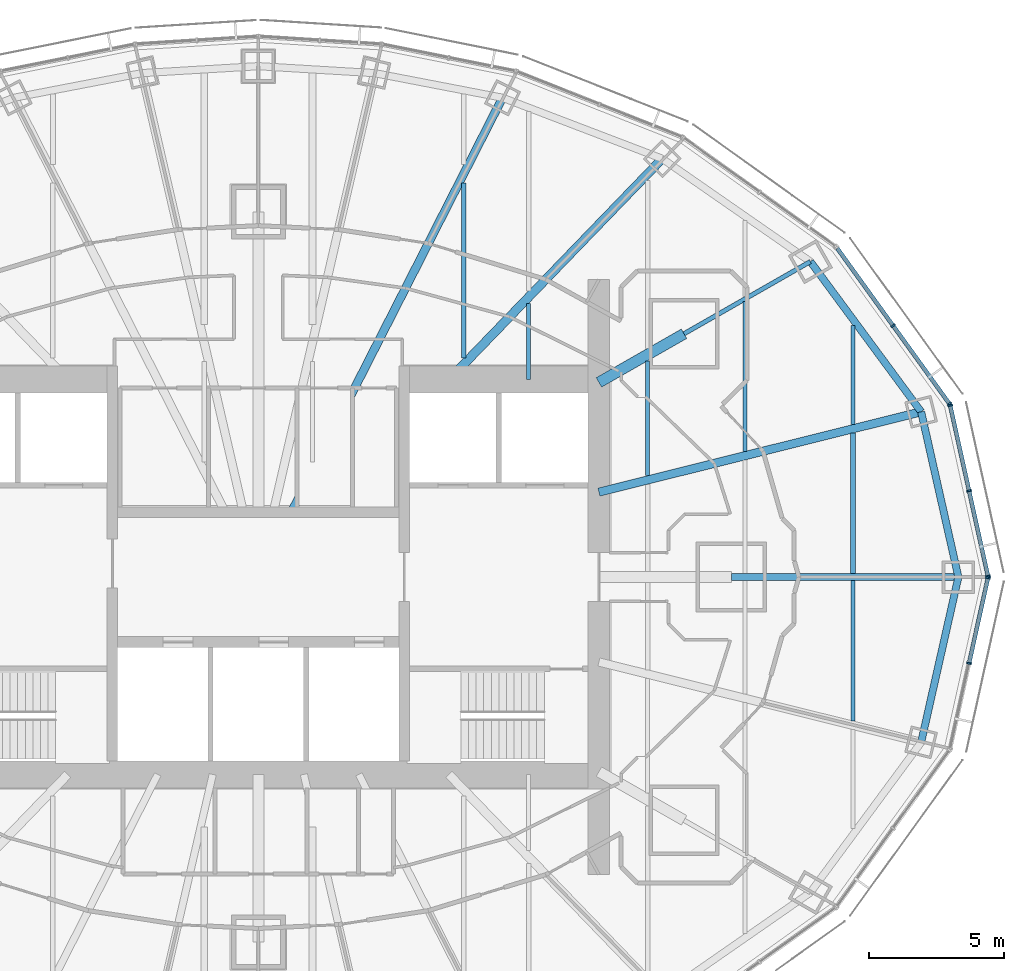
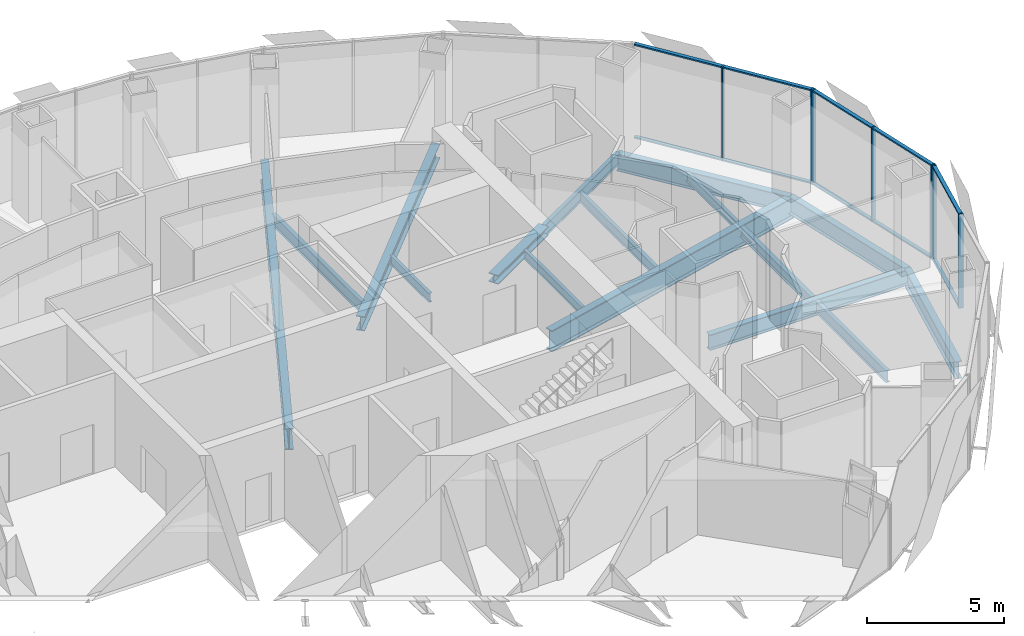
# One storey, part 7 of 19: 17 members, 16 beams, 3 elements without a shape of their own.
"""IFC4 building model written with IfcOpenShell, lengths in metres."""

import ifcopenshell
import ifcopenshell.guid

model = None  # the IFC model being written
_history = None  # IfcOwnerHistory: only IFC2X3 demands one
_inside = {}  # id of a spatial element -> (the spatial element, [elements in it])
_under = {}  # id of a project, library or spatial element -> (it, [spatial elements below it])
_declared = {}  # id of a project -> (the project, [libraries it declares])
_typed = {}  # id of a type object -> (the type object, [elements of that type])
_made_of = {}  # id of a material, layer set ... -> (it, [elements and type objects made of it])


def new_model(schema):
    """Start an empty IFC model of exactly this schema.

    Asked for "IFC4X3", IfcOpenShell would pick the latest addendum, in which some entities
    have other attributes; the version numbers below select the first issue.
    IFC2X3 requires an IfcOwnerHistory on every rooted entity: one is made here for all.
    """
    global model, _history
    if schema == "IFC4X3":
        model = ifcopenshell.file(schema_version=(4, 3, 0, 0))
    else:
        model = ifcopenshell.file(schema=schema)
    _inside.clear()
    _under.clear()
    _declared.clear()
    _typed.clear()
    _made_of.clear()
    _history = None
    if model.schema == "IFC2X3":
        org = make("IfcOrganization", Name="unknown")
        user = make(
            "IfcPersonAndOrganization",
            ThePerson=make("IfcPerson", FamilyName="unknown"),
            TheOrganization=org,
        )
        app = make(
            "IfcApplication",
            ApplicationDeveloper=org,
            Version="unknown",
            ApplicationFullName="unknown",
            ApplicationIdentifier="unknown",
        )
        _history = make(
            "IfcOwnerHistory",
            OwningUser=user,
            OwningApplication=app,
            ChangeAction="ADDED",
            CreationDate=0,
        )
    return model


def make(cls, **values):
    """One entity of the class cls with the attributes given. An attribute that is None is left unset."""
    return model.create_entity(
        cls, **{name: value for name, value in values.items() if value is not None}
    )


def rooted(cls, **values):
    """An entity with a GlobalId (a new one), such as an element, a storey or a relation."""
    return make(cls, GlobalId=ifcopenshell.guid.new(), OwnerHistory=_history, **values)


def si_unit(unit_type, name, prefix=None):
    """IfcSIUnit, for example si_unit("LENGTHUNIT", "METRE", prefix="MILLI")."""
    return make("IfcSIUnit", UnitType=unit_type, Prefix=prefix, Name=name)


def assignment(units):
    """IfcUnitAssignment: the units of a project."""
    return None if units is None else make("IfcUnitAssignment", Units=units)


def point(xyz):
    """IfcCartesianPoint."""
    return None if xyz is None else make("IfcCartesianPoint", Coordinates=xyz)


def direction(xyz):
    """IfcDirection."""
    return None if xyz is None else make("IfcDirection", DirectionRatios=xyz)


def frame(location, z_axis=None, x_axis=None):
    """IfcAxis2Placement3D, a coordinate frame: its origin and axes. An axis left out is left unset."""
    return make(
        "IfcAxis2Placement3D",
        Location=point(location),
        Axis=direction(z_axis),
        RefDirection=direction(x_axis),
    )


def frame_2d(location, x_axis=None):
    """IfcAxis2Placement2D, a coordinate frame in the plane: its origin and x axis."""
    return make(
        "IfcAxis2Placement2D", Location=point(location), RefDirection=direction(x_axis)
    )


def origin():
    """The frame at (0, 0, 0) with its axes left unset."""
    return frame((0.0, 0.0, 0.0))


def origin_2d():
    """The frame at (0, 0) in the plane with its x axis left unset."""
    return frame_2d((0.0, 0.0))


def place(relative_to, where):
    """IfcLocalPlacement: puts the frame where relative to a parent placement (None: the world)."""
    return make(
        "IfcLocalPlacement", PlacementRelTo=relative_to, RelativePlacement=where
    )


def context(
    kind, dimensions, precision=None, world=None, true_north=None, identifier=None
):
    """IfcGeometricRepresentationContext, for example the 3D "Model" context."""
    return make(
        "IfcGeometricRepresentationContext",
        ContextIdentifier=identifier,
        ContextType=kind,
        CoordinateSpaceDimension=dimensions,
        Precision=precision,
        WorldCoordinateSystem=world,
        TrueNorth=true_north,
    )


def subcontext(parent, identifier, kind, view, scale=None):
    """IfcGeometricRepresentationSubContext, for example "Body" below "Model"."""
    return make(
        "IfcGeometricRepresentationSubContext",
        ContextIdentifier=identifier,
        ContextType=kind,
        ParentContext=parent,
        TargetScale=scale,
        TargetView=view,
    )


def project(units=None, contexts=None):
    """IfcProject with its units and contexts."""
    return rooted(
        "IfcProject",
        Name="project",
        RepresentationContexts=contexts,
        UnitsInContext=assignment(units),
    )


def spatial(cls, under=None, at=None, **own):
    """A site, building, storey or space (cls), placed at a placement, below another one or the project."""
    s = rooted(cls, ObjectPlacement=at, **own)
    if under is not None:
        _under.setdefault(under.id(), (under, []))[1].append(s)
    return s


def profile(cls, at=None, kind="AREA", **sizes):
    """A parametric profile (cls). Its sizes go by their IFC names, for example OverallWidth=200.0."""
    return make(cls, ProfileType=kind, Position=at, **sizes)


def rectangle(**sizes):
    """IfcRectangleProfileDef."""
    return profile("IfcRectangleProfileDef", **sizes)


def i_section(**sizes):
    """IfcIShapeProfileDef."""
    return profile("IfcIShapeProfileDef", **sizes)


def extrude(swept, where, along, depth):
    """IfcExtrudedAreaSolid: the profile swept, set in the frame where, extruded along a direction by depth."""
    return make(
        "IfcExtrudedAreaSolid",
        SweptArea=swept,
        Position=where,
        ExtrudedDirection=direction(along),
        Depth=depth,
    )


def shape(context_of_items, identifier, shape_type, items):
    """IfcShapeRepresentation: the items that make up one representation, for example the "Body"."""
    return make(
        "IfcShapeRepresentation",
        ContextOfItems=context_of_items,
        RepresentationIdentifier=identifier,
        RepresentationType=shape_type,
        Items=items,
    )


def material(Name=None, Category=None):
    """IfcMaterial."""
    return make("IfcMaterial", Name=Name, Category=Category)


def material_profile(
    of_material, cross_section, Name=None, Category=None, Priority=None
):
    """IfcMaterialProfile: a cross section and its material."""
    return make(
        "IfcMaterialProfile",
        Name=Name,
        Material=of_material,
        Profile=cross_section,
        Priority=Priority,
        Category=Category,
    )


def profile_set(profiles, Name=None, composite=None):
    """IfcMaterialProfileSet."""
    return make(
        "IfcMaterialProfileSet",
        Name=Name,
        MaterialProfiles=profiles,
        CompositeProfile=composite,
    )


def made_of(thing, what):
    """Note that an element or type object is made of a material, layer set ...; save() writes the relation."""
    if what is not None:
        _made_of.setdefault(what.id(), (what, []))[1].append(thing)
    return thing


def type_object(cls, material=None, **own):
    """A type object (cls), such as IfcWallType, which elements share."""
    return made_of(rooted(cls, **own), material)


def element(
    cls,
    number,
    at=None,
    inside=None,
    cuts=None,
    type_object=None,
    material=None,
    context=None,
    identifier="Body",
    shape_type=None,
    held_by="IfcProductDefinitionShape",
    body=None,
    shapes=None,
    **own,
):
    """One element of the class cls, such as IfcWall. Its Tag is "e" and its number.

    at: its placement. inside: the storey or other place that contains it. cuts: it is an
    opening in that element (IfcRelVoidsElement). A single representation is given by context,
    identifier, shape_type and body (its items); several are given by shapes. held_by: the class
    of the entity that holds the representations. save() writes the other relations.
    """
    e = rooted(cls, Tag="e%d" % number, ObjectPlacement=at, **own)
    if body is not None:
        shapes = [shape(context, identifier, shape_type, body)]
    if shapes is not None:
        e.Representation = make(held_by, Representations=shapes)
    if inside is not None:
        _inside.setdefault(inside.id(), (inside, []))[1].append(e)
    if cuts is not None:
        rooted(
            "IfcRelVoidsElement", RelatingBuildingElement=cuts, RelatedOpeningElement=e
        )
    if type_object is not None:
        _typed.setdefault(type_object.id(), (type_object, []))[1].append(e)
    return made_of(e, material)


def aggregate(whole, parts):
    """IfcRelAggregates: a whole, such as a stair, and the parts it consists of."""
    return rooted("IfcRelAggregates", RelatingObject=whole, RelatedObjects=parts)


def save(model, path):
    """Write the relations noted so far, then the file.

    IfcRelAggregates (storeys below a building ...), IfcRelContainedInSpatialStructure (elements
    in a storey), IfcRelDefinesByType, IfcRelAssociatesMaterial and IfcRelDeclares: one each for
    every whole, place, type object, material and project.
    """
    for whole, parts in _under.values():
        aggregate(whole, parts)
    for where, things in _inside.values():
        rooted(
            "IfcRelContainedInSpatialStructure",
            RelatedElements=things,
            RelatingStructure=where,
        )
    for kind, things in _typed.values():
        rooted("IfcRelDefinesByType", RelatedObjects=things, RelatingType=kind)
    for what, things in _made_of.values():
        rooted("IfcRelAssociatesMaterial", RelatedObjects=things, RelatingMaterial=what)
    for by, libraries in _declared.values():
        rooted("IfcRelDeclares", RelatingContext=by, RelatedDefinitions=libraries)
    model.write(path)


model = new_model("IFC4")

# Units and contexts
model_context = context("Model", 3, precision=1e-05, world=origin(), true_north=direction((0.0, 1.0)))
body_context = subcontext(model_context, "Body", "Model", "MODEL_VIEW")
ifc_project = project(units=[si_unit("LENGTHUNIT", "METRE"), si_unit("AREAUNIT", "SQUARE_METRE"), si_unit("VOLUMEUNIT", "CUBIC_METRE"), si_unit("PLANEANGLEUNIT", "RADIAN"), si_unit("MASSUNIT", "GRAM", prefix="KILO")], contexts=[model_context])

# Site, building, storey
site_placement = place(None, origin())
site = spatial("IfcSite", under=ifc_project, at=site_placement, CompositionType="ELEMENT")
building_placement = place(site_placement, origin())
building = spatial("IfcBuilding", under=site, at=building_placement, Name="Lantaw Convention Tower", CompositionType="ELEMENT")
storey_placement = place(building_placement, frame((0.0, 0.0, 245.199951171875)))
storey = spatial("IfcBuildingStorey", under=building, at=storey_placement, Name="L57", CompositionType="ELEMENT", Elevation=245.199951171875)

# Beams
ifc_material_1 = material(Name="Steel ASTM A992", Category="steel")
ifc_material_profile_1 = material_profile(ifc_material_1, i_section(OverallWidth=0.2666015625, OverallDepth=0.76953125, WebThickness=0.015625, FlangeThickness=0.025390625, FilletRadius=0.0126953125, at=origin_2d()), Name="W30X132")
ifc_profile_set_1 = profile_set([ifc_material_profile_1], Name="Steel ASTM A992")
beam_type_1 = type_object("IfcBeamType", Name="Beam E W30X132", PredefinedType="SPANDREL", material=ifc_profile_set_1)
beam_1_placement = place(storey_placement, frame((25.89990234375, 0.0, -0.53466796875), z_axis=(-0.219857926596, 0.97553190215, 0.0), x_axis=(-0.97553190215, -0.219857926596, 0.0)))
element("IfcBeam", 1, at=beam_1_placement, inside=storey, type_object=beam_type_1, Name="Edge beam 1", PredefinedType="SPANDREL", context=body_context, shape_type="SweptSolid", body=[
    extrude(i_section(OverallWidth=0.2666015625, OverallDepth=0.76953125, WebThickness=0.015625, FlangeThickness=0.025390625, FilletRadius=0.0126953125, at=origin_2d()), origin(), (0.0, 0.0, 1.0), 6.267333984375),
])
beam_2_placement = place(storey_placement, frame((24.52197265625, 6.114013671875, -0.53466796875), z_axis=(-0.593639188853, 0.804731329984, 0.0), x_axis=(-0.804731329984, -0.593639188853, 0.0)))
element("IfcBeam", 2, at=beam_2_placement, inside=storey, type_object=beam_type_1, Name="Edge beam 2", PredefinedType="SPANDREL", context=body_context, shape_type="SweptSolid", body=[
    extrude(i_section(OverallWidth=0.2666015625, OverallDepth=0.76953125, WebThickness=0.015625, FlangeThickness=0.025390625, FilletRadius=0.0126953125, at=origin_2d()), origin(), (0.0, 0.0, 1.0), 6.904541015625),
])
beam_3_placement = place(storey_placement, frame((24.52197265625, -6.114013671875, -0.53466796875), z_axis=(0.219857926596, 0.97553190215, 0.0), x_axis=(-0.97553190215, 0.219857926596, 0.0)))
element("IfcBeam", 3, at=beam_3_placement, inside=storey, type_object=beam_type_1, Name="Edge beam 24", PredefinedType="SPANDREL", context=body_context, shape_type="SweptSolid", body=[
    extrude(i_section(OverallWidth=0.2666015625, OverallDepth=0.76953125, WebThickness=0.015625, FlangeThickness=0.025390625, FilletRadius=0.0126953125, at=origin_2d()), origin(), (0.0, 0.0, 1.0), 6.267333984375),
])
ifc_material_profile_2 = material_profile(ifc_material_1, i_section(OverallWidth=0.1650390625, OverallDepth=0.52587890625, WebThickness=0.0087890625, FlangeThickness=0.011474609375, FilletRadius=0.0126953125, at=origin_2d()), Name="W21X44")
ifc_profile_set_2 = profile_set([ifc_material_profile_2], Name="Steel ASTM A992")
beam_type_2 = type_object("IfcBeamType", Name="Beam G W21X44", PredefinedType="BEAM", material=ifc_profile_set_2)
beam_4_placement = place(storey_placement, frame((15.75, 9.0, -0.412841796875), z_axis=(0.868237559289, 0.496148708192, 0.0), x_axis=(-0.496148708192, 0.868237559289, 0.0)))
element("IfcBeam", 4, at=beam_4_placement, inside=storey, type_object=beam_type_2, Name="Floor girder on ray 3", PredefinedType="BEAM", context=body_context, shape_type="SweptSolid", body=[
    extrude(i_section(OverallWidth=0.1650390625, OverallDepth=0.52587890625, WebThickness=0.0087890625, FlangeThickness=0.011474609375, FilletRadius=0.0126953125, at=origin_2d()), origin(), (0.0, 0.0, 1.0), 5.38232421875),
])
ifc_material_profile_3 = material_profile(ifc_material_1, i_section(OverallWidth=0.32763671875, OverallDepth=0.64013671875, WebThickness=0.01904296875, FlangeThickness=0.033935546875, FilletRadius=0.0126953125, at=origin_2d()), Name="W24X176")
ifc_profile_set_3 = profile_set([ifc_material_profile_3], Name="Steel ASTM A992")
beam_type_3 = type_object("IfcBeamType", Name="Beam G W24X176", PredefinedType="BEAM", material=ifc_profile_set_3)
beam_5_placement = place(storey_placement, frame((7.049560546875, 7.300048828125, -0.469970703125), z_axis=(0.694657766726, 0.719340383356, 0.0), x_axis=(-0.719340383356, 0.694657766726, 0.0)))
element("IfcBeam", 5, at=beam_5_placement, inside=storey, type_object=beam_type_3, Name="Floor girder on ray 4", PredefinedType="BEAM", context=body_context, shape_type="SweptSolid", body=[
    extrude(i_section(OverallWidth=0.32763671875, OverallDepth=0.64013671875, WebThickness=0.01904296875, FlangeThickness=0.033935546875, FilletRadius=0.0126953125, at=origin_2d()), origin(), (0.0, 0.0, 1.0), 11.364990234375),
])
ifc_material_profile_4 = material_profile(ifc_material_1, i_section(OverallWidth=0.25390625, OverallDepth=0.700927734375, WebThickness=0.015380859375, FlangeThickness=0.02783203125, FilletRadius=0.01513671875, at=origin_2d()), Name="W27X129")
ifc_profile_set_4 = profile_set([ifc_material_profile_4], Name="Steel ASTM A992")
beam_type_4 = type_object("IfcBeamType", Name="Beam G W27X129", PredefinedType="BEAM", material=ifc_profile_set_4)
beam_6_placement = place(storey_placement, frame((17.5, 0.0, -0.50048828125), z_axis=(1.0, 0.0, 0.0), x_axis=(0.0, 1.0, 0.0)))
element("IfcBeam", 6, at=beam_6_placement, inside=storey, type_object=beam_type_4, Name="Floor girder on ray 1", PredefinedType="BEAM", context=body_context, shape_type="SweptSolid", body=[
    extrude(i_section(OverallWidth=0.25390625, OverallDepth=0.700927734375, WebThickness=0.015380859375, FlangeThickness=0.02783203125, FilletRadius=0.01513671875, at=origin_2d()), origin(), (0.0, 0.0, 1.0), 8.39990234375),
])
ifc_material_profile_5 = material_profile(ifc_material_1, i_section(OverallWidth=0.307373046875, OverallDepth=0.9423828125, WebThickness=0.022216796875, FlangeThickness=0.039794921875, FilletRadius=0.0126953125, at=origin_2d()), Name="W36X232")
ifc_profile_set_5 = profile_set([ifc_material_profile_5], Name="Steel ASTM A992")
beam_type_5 = type_object("IfcBeamType", Name="Beam G W36X232", PredefinedType="BEAM", material=ifc_profile_set_5)
beam_7_placement = place(storey_placement, frame((12.60009765625, 3.1416015625, -0.62109375), z_axis=(0.970296589314, 0.241918434119, 0.0), x_axis=(-0.241918434119, 0.970296589314, 0.0)))
element("IfcBeam", 7, at=beam_7_placement, inside=storey, type_object=beam_type_5, Name="Floor girder on ray 2", PredefinedType="BEAM", context=body_context, shape_type="SweptSolid", body=[
    extrude(i_section(OverallWidth=0.307373046875, OverallDepth=0.9423828125, WebThickness=0.022216796875, FlangeThickness=0.039794921875, FilletRadius=0.0126953125, at=origin_2d()), origin(), (0.0, 0.0, 1.0), 12.286865234375),
])
beam_8_placement = place(storey_placement, frame((1.222900390625, 2.39990234375, -0.62109375), z_axis=(0.453988481463, 0.891007552549, 0.0), x_axis=(-0.891007552549, 0.453988481463, 0.0)))
element("IfcBeam", 8, at=beam_8_placement, inside=storey, type_object=beam_type_5, Name="Floor girder on ray 5", PredefinedType="BEAM", context=body_context, shape_type="SweptSolid", body=[
    extrude(i_section(OverallWidth=0.307373046875, OverallDepth=0.9423828125, WebThickness=0.022216796875, FlangeThickness=0.039794921875, FilletRadius=0.0126953125, at=origin_2d()), origin(), (0.0, 0.0, 1.0), 17.20703125),
])
ifc_material_profile_6 = material_profile(ifc_material_1, i_section(OverallWidth=0.40380859375, OverallDepth=0.406494140625, WebThickness=0.027099609375, FlangeThickness=0.043701171875, FilletRadius=0.01513671875, at=origin_2d()), Name="W14X233")
ifc_profile_set_6 = profile_set([ifc_material_profile_6], Name="Steel ASTM A992")
beam_type_6 = type_object("IfcBeamType", Name="Beam GM W14X233", PredefinedType="BEAM", material=ifc_profile_set_6)
beam_9_placement = place(storey_placement, frame((12.60009765625, 7.199951171875, -0.353271484375), z_axis=(0.868230718294, 0.496160679428, 0.0), x_axis=(-0.496160679428, 0.868230718294, 0.0)))
element("IfcBeam", 9, at=beam_9_placement, inside=storey, type_object=beam_type_6, Name="Core link beam on ray 3", PredefinedType="BEAM", context=body_context, shape_type="SweptSolid", body=[
    extrude(i_section(OverallWidth=0.40380859375, OverallDepth=0.406494140625, WebThickness=0.027099609375, FlangeThickness=0.043701171875, FilletRadius=0.01513671875, at=origin_2d()), origin(), (0.0, 0.0, 1.0), 3.6279296875),
])
ifc_material_profile_7 = material_profile(ifc_material_1, i_section(OverallWidth=0.140380859375, OverallDepth=0.40380859375, WebThickness=0.007080078125, FlangeThickness=0.01123046875, FilletRadius=0.01025390625, at=origin_2d()), Name="W16X31")
ifc_profile_set_7 = profile_set([ifc_material_profile_7], Name="Steel ASTM A992")
beam_type_7 = type_object("IfcBeamType", Name="Beam J W16X31", PredefinedType="JOIST", material=ifc_profile_set_7)
beam_10_placement = place(storey_placement, frame((10.0, 7.300048828125, -0.351806640625), z_axis=(0.0, 1.0, 0.0), x_axis=(-1.0, 0.0, 0.0)))
element("IfcBeam", 10, at=beam_10_placement, inside=storey, type_object=beam_type_7, Name="Floor joist", PredefinedType="JOIST", context=body_context, shape_type="SweptSolid", body=[
    extrude(i_section(OverallWidth=0.140380859375, OverallDepth=0.40380859375, WebThickness=0.007080078125, FlangeThickness=0.01123046875, FilletRadius=0.01025390625, at=origin_2d()), origin(), (0.0, 0.0, 1.0), 2.8193359375),
])
beam_11_placement = place(storey_placement, frame((14.39990234375, 3.748779296875, -0.351806640625), z_axis=(0.0, 1.0, 0.0), x_axis=(-1.0, 0.0, 0.0)))
element("IfcBeam", 11, at=beam_11_placement, inside=storey, type_object=beam_type_7, Name="Floor joist", PredefinedType="JOIST", context=body_context, shape_type="SweptSolid", body=[
    extrude(i_section(OverallWidth=0.140380859375, OverallDepth=0.40380859375, WebThickness=0.007080078125, FlangeThickness=0.01123046875, FilletRadius=0.01025390625, at=origin_2d()), origin(), (0.0, 0.0, 1.0), 4.247314453125),
])
beam_12_placement = place(storey_placement, frame((22.0, 5.6435546875, -0.351806640625), z_axis=(0.0, 1.0, 0.0), x_axis=(-1.0, 0.0, 0.0)))
element("IfcBeam", 12, at=beam_12_placement, inside=storey, type_object=beam_type_7, Name="Floor joist", PredefinedType="JOIST", context=body_context, shape_type="SweptSolid", body=[
    extrude(i_section(OverallWidth=0.140380859375, OverallDepth=0.40380859375, WebThickness=0.007080078125, FlangeThickness=0.01123046875, FilletRadius=0.01025390625, at=origin_2d()), origin(), (0.0, 0.0, 1.0), 3.66455078125),
])
ifc_material_profile_8 = material_profile(ifc_material_1, i_section(OverallWidth=0.15234375, OverallDepth=0.449462890625, WebThickness=0.007568359375, FlangeThickness=0.0107421875, FilletRadius=0.01025390625, at=origin_2d()), Name="W18X35")
ifc_profile_set_8 = profile_set([ifc_material_profile_8], Name="Steel ASTM A992")
beam_type_8 = type_object("IfcBeamType", Name="Beam J W18X35", PredefinedType="JOIST", material=ifc_profile_set_8)
beam_13_placement = place(storey_placement, frame((18.0, 4.646240234375, -0.374755859375), z_axis=(0.0, 1.0, 0.0), x_axis=(-1.0, 0.0, 0.0)))
element("IfcBeam", 13, at=beam_13_placement, inside=storey, type_object=beam_type_8, Name="Floor joist", PredefinedType="JOIST", context=body_context, shape_type="SweptSolid", body=[
    extrude(i_section(OverallWidth=0.15234375, OverallDepth=0.449462890625, WebThickness=0.007568359375, FlangeThickness=0.0107421875, FilletRadius=0.01025390625, at=origin_2d()), origin(), (0.0, 0.0, 1.0), 5.54443359375),
])
ifc_material_profile_9 = material_profile(ifc_material_1, i_section(OverallWidth=0.1904296875, OverallDepth=0.457275390625, WebThickness=0.009033203125, FlangeThickness=0.014404296875, FilletRadius=0.01025390625, at=origin_2d()), Name="W18X50")
ifc_profile_set_9 = profile_set([ifc_material_profile_9], Name="Steel ASTM A992")
beam_type_9 = type_object("IfcBeamType", Name="Beam J W18X50", PredefinedType="JOIST", material=ifc_profile_set_9)
beam_14_placement = place(storey_placement, frame((22.0, 0.126953125, -0.378662109375), z_axis=(0.0, 1.0, 0.0), x_axis=(-1.0, 0.0, 0.0)))
element("IfcBeam", 14, at=beam_14_placement, inside=storey, type_object=beam_type_9, Name="Floor joist", PredefinedType="JOIST", context=body_context, shape_type="SweptSolid", body=[
    extrude(i_section(OverallWidth=0.1904296875, OverallDepth=0.457275390625, WebThickness=0.009033203125, FlangeThickness=0.014404296875, FilletRadius=0.01025390625, at=origin_2d()), origin(), (0.0, 0.0, 1.0), 5.199951171875),
])
ifc_material_profile_10 = material_profile(ifc_material_1, i_section(OverallWidth=0.1650390625, OverallDepth=0.52587890625, WebThickness=0.0087890625, FlangeThickness=0.011474609375, FilletRadius=0.0126953125, at=origin_2d()), Name="W21X44")
ifc_profile_set_10 = profile_set([ifc_material_profile_10], Name="Steel ASTM A992")
beam_type_10 = type_object("IfcBeamType", Name="Beam J W21X44", PredefinedType="JOIST", material=ifc_profile_set_10)
beam_15_placement = place(storey_placement, frame((7.60009765625, 8.10595703125, -0.412841796875), z_axis=(0.0, 1.0, 0.0), x_axis=(-1.0, 0.0, 0.0)))
element("IfcBeam", 15, at=beam_15_placement, inside=storey, type_object=beam_type_10, Name="Floor joist", PredefinedType="JOIST", context=body_context, shape_type="SweptSolid", body=[
    extrude(i_section(OverallWidth=0.1650390625, OverallDepth=0.52587890625, WebThickness=0.0087890625, FlangeThickness=0.011474609375, FilletRadius=0.0126953125, at=origin_2d()), origin(), (0.0, 0.0, 1.0), 6.471435546875),
])
beam_16_placement = place(storey_placement, frame((22.0, -5.326904296875, -0.412841796875), z_axis=(0.0, 1.0, 0.0), x_axis=(-1.0, 0.0, 0.0)))
element("IfcBeam", 16, at=beam_16_placement, inside=storey, type_object=beam_type_10, Name="Floor joist", PredefinedType="JOIST", context=body_context, shape_type="SweptSolid", body=[
    extrude(i_section(OverallWidth=0.1650390625, OverallDepth=0.52587890625, WebThickness=0.0087890625, FlangeThickness=0.011474609375, FilletRadius=0.0126953125, at=origin_2d()), origin(), (0.0, 0.0, 1.0), 5.199951171875),
])

# Curtain wall, members
ifc_material_2 = material(Name="Aluminium framed curtain wall", Category="aluminium")
curtain_wall_type = type_object("IfcCurtainWallType", Name="Office curtain wall high rise, pale aluminium", PredefinedType="USERDEFINED", material=ifc_material_2)
curtain_wall_1_placement = place(storey_placement, origin())
curtain_wall_1 = element("IfcCurtainWall", 17, at=curtain_wall_1_placement, inside=storey, type_object=curtain_wall_type, Name="Office curtain wall high rise, pale aluminium L57", ObjectType="UNITISED CURTAIN WALL", PredefinedType="USERDEFINED")
ifc_material_3 = material(Name="Aluminium 6063-T6", Category="aluminium")
ifc_material_profile_11 = material_profile(ifc_material_3, rectangle(XDim=0.179931640625, YDim=0.06494140625, at=origin_2d()), Name="CW-O2 mullion 65x180")
ifc_profile_set_11 = profile_set([ifc_material_profile_11], Name="Aluminium 6063-T6")
member_type_1 = type_object("IfcMemberType", Name="CW-O2 mullion 65x180", PredefinedType="MULLION", material=ifc_profile_set_11)
member_1_placement = place(storey_placement, frame((26.992919921875, 0.03173828125, -0.14990234375), z_axis=(0.0, 0.0, 1.0), x_axis=(-0.976417396437, -0.215891333626, 0.0)))
member_1 = element("IfcMember", 18, at=member_1_placement, type_object=member_type_1, Name="CW-O2 mullion 1", PredefinedType="MULLION", context=body_context, shape_type="SweptSolid", body=[
    extrude(rectangle(XDim=0.179931640625, YDim=0.06494140625, at=origin_2d()), origin(), (0.0, 0.0, 1.0), 4.199951171875),
])
member_2_placement = place(storey_placement, frame((26.294677734375, 3.190185546875, -0.14990234375), z_axis=(0.0, 0.0, 1.0), x_axis=(-0.976417396437, -0.215891333626, 0.0)))
member_2 = element("IfcMember", 19, at=member_2_placement, type_object=member_type_1, Name="CW-O2 mullion 2", PredefinedType="MULLION", context=body_context, shape_type="SweptSolid", body=[
    extrude(rectangle(XDim=0.179931640625, YDim=0.06494140625, at=origin_2d()), origin(), (0.0, 0.0, 1.0), 4.199951171875),
])
member_3_placement = place(storey_placement, frame((25.596435546875, 6.348388671875, -0.14990234375), z_axis=(0.0, 0.0, 1.0), x_axis=(-0.976417396437, -0.215891333626, 0.0)))
member_3 = element("IfcMember", 20, at=member_3_placement, type_object=member_type_1, Name="CW-O2 mullion 3", PredefinedType="MULLION", context=body_context, shape_type="SweptSolid", body=[
    extrude(rectangle(XDim=0.179931640625, YDim=0.06494140625, at=origin_2d()), origin(), (0.0, 0.0, 1.0), 4.199951171875),
])

curtain_wall_2_placement = place(storey_placement, origin())
curtain_wall_2 = element("IfcCurtainWall", 21, at=curtain_wall_2_placement, inside=storey, type_object=curtain_wall_type, Name="Office curtain wall high rise, pale aluminium L57", ObjectType="UNITISED CURTAIN WALL", PredefinedType="USERDEFINED")
member_4_placement = place(storey_placement, frame((25.5703125, 6.406494140625, -0.14990234375), z_axis=(0.0, 0.0, 1.0), x_axis=(-0.810919559405, -0.585157643865, 0.0)))
member_4 = element("IfcMember", 22, at=member_4_placement, type_object=member_type_1, Name="CW-O2 mullion 1", PredefinedType="MULLION", context=body_context, shape_type="SweptSolid", body=[
    extrude(rectangle(XDim=0.179931640625, YDim=0.06494140625, at=origin_2d()), origin(), (0.0, 0.0, 1.0), 4.199951171875),
])
member_5_placement = place(storey_placement, frame((23.483642578125, 9.298095703125, -0.14990234375), z_axis=(0.0, 0.0, 1.0), x_axis=(-0.810919559405, -0.585157643865, 0.0)))
member_5 = element("IfcMember", 23, at=member_5_placement, type_object=member_type_1, Name="CW-O2 mullion 2", PredefinedType="MULLION", context=body_context, shape_type="SweptSolid", body=[
    extrude(rectangle(XDim=0.179931640625, YDim=0.06494140625, at=origin_2d()), origin(), (0.0, 0.0, 1.0), 4.199951171875),
])

curtain_wall_3_placement = place(storey_placement, origin())
curtain_wall_3 = element("IfcCurtainWall", 24, at=curtain_wall_3_placement, inside=storey, type_object=curtain_wall_type, Name="Office curtain wall high rise, pale aluminium L57", ObjectType="UNITISED CURTAIN WALL", PredefinedType="USERDEFINED")
member_6_placement = place(storey_placement, frame((26.294677734375, -3.190185546875, -0.14990234375), z_axis=(0.0, 0.0, 1.0), x_axis=(-0.976417396437, 0.215891333626, 0.0)))
member_6 = element("IfcMember", 25, at=member_6_placement, type_object=member_type_1, Name="CW-O2 mullion 2", PredefinedType="MULLION", context=body_context, shape_type="SweptSolid", body=[
    extrude(rectangle(XDim=0.179931640625, YDim=0.06494140625, at=origin_2d()), origin(), (0.0, 0.0, 1.0), 4.199951171875),
])
member_7_placement = place(storey_placement, frame((26.992919921875, -0.03173828125, -0.14990234375), z_axis=(0.0, 0.0, 1.0), x_axis=(-0.976417396437, 0.215891333626, 0.0)))
member_7 = element("IfcMember", 26, at=member_7_placement, type_object=member_type_1, Name="CW-O2 mullion 3", PredefinedType="MULLION", context=body_context, shape_type="SweptSolid", body=[
    extrude(rectangle(XDim=0.179931640625, YDim=0.06494140625, at=origin_2d()), origin(), (0.0, 0.0, 1.0), 4.199951171875),
])

# Member
ifc_material_profile_12 = material_profile(ifc_material_3, rectangle(XDim=0.14990234375, YDim=0.06494140625, at=origin_2d()), Name="CW-O2 transom 65x150")
ifc_profile_set_12 = profile_set([ifc_material_profile_12], Name="Aluminium 6063-T6")
member_type_2 = type_object("IfcMemberType", Name="CW-O2 transom 65x150", PredefinedType="USERDEFINED", material=ifc_profile_set_12)
member_8_placement = place(storey_placement, frame((26.986083984375, 0.0634765625, -0.117431640625), z_axis=(-0.215894607042, 0.976416672661, 0.0), x_axis=(-0.976416672661, -0.215894607042, 0.0)))
member_8 = element("IfcMember", 27, at=member_8_placement, type_object=member_type_2, Name="CW-O2 transom 1.1", ObjectType="TRANSOM", PredefinedType="USERDEFINED", context=body_context, shape_type="SweptSolid", body=[
    extrude(rectangle(XDim=0.14990234375, YDim=0.06494140625, at=origin_2d()), origin(), (0.0, 0.0, 1.0), 3.169677734375),
])

member_9_placement = place(storey_placement, frame((26.986083984375, 0.0634765625, 4.017578125), z_axis=(-0.215894607042, 0.976416672661, 0.0), x_axis=(-0.976416672661, -0.215894607042, 0.0)))
member_9 = element("IfcMember", 28, at=member_9_placement, type_object=member_type_2, Name="CW-O2 transom 1.2", ObjectType="TRANSOM", PredefinedType="USERDEFINED", context=body_context, shape_type="SweptSolid", body=[
    extrude(rectangle(XDim=0.14990234375, YDim=0.06494140625, at=origin_2d()), origin(), (0.0, 0.0, 1.0), 3.169677734375),
])

member_10_placement = place(storey_placement, frame((26.28759765625, 3.2216796875, -0.117431640625), z_axis=(-0.215894607042, 0.976416672661, 0.0), x_axis=(-0.976416672661, -0.215894607042, 0.0)))
member_10 = element("IfcMember", 29, at=member_10_placement, type_object=member_type_2, Name="CW-O2 transom 2.1", ObjectType="TRANSOM", PredefinedType="USERDEFINED", context=body_context, shape_type="SweptSolid", body=[
    extrude(rectangle(XDim=0.14990234375, YDim=0.06494140625, at=origin_2d()), origin(), (0.0, 0.0, 1.0), 3.169677734375),
])

member_11_placement = place(storey_placement, frame((26.28759765625, 3.2216796875, 4.017578125), z_axis=(-0.215894607042, 0.976416672661, 0.0), x_axis=(-0.976416672661, -0.215894607042, 0.0)))
member_11 = element("IfcMember", 30, at=member_11_placement, type_object=member_type_2, Name="CW-O2 transom 2.2", ObjectType="TRANSOM", PredefinedType="USERDEFINED", context=body_context, shape_type="SweptSolid", body=[
    extrude(rectangle(XDim=0.14990234375, YDim=0.06494140625, at=origin_2d()), origin(), (0.0, 0.0, 1.0), 3.169677734375),
])

aggregate(curtain_wall_1, [member_1, member_2, member_3, member_8, member_9, member_10, member_11])

member_12_placement = place(storey_placement, frame((25.55126953125, 6.432861328125, -0.117431640625), z_axis=(-0.585169685931, 0.810910869743, 0.0), x_axis=(-0.810910869743, -0.585169685931, 0.0)))
member_12 = element("IfcMember", 31, at=member_12_placement, type_object=member_type_2, Name="CW-O2 transom 1.1", ObjectType="TRANSOM", PredefinedType="USERDEFINED", context=body_context, shape_type="SweptSolid", body=[
    extrude(rectangle(XDim=0.14990234375, YDim=0.06494140625, at=origin_2d()), origin(), (0.0, 0.0, 1.0), 3.500732421875),
])

member_13_placement = place(storey_placement, frame((25.55126953125, 6.432861328125, 4.017578125), z_axis=(-0.585169685931, 0.810910869743, 0.0), x_axis=(-0.810910869743, -0.585169685931, 0.0)))
member_13 = element("IfcMember", 32, at=member_13_placement, type_object=member_type_2, Name="CW-O2 transom 1.2", ObjectType="TRANSOM", PredefinedType="USERDEFINED", context=body_context, shape_type="SweptSolid", body=[
    extrude(rectangle(XDim=0.14990234375, YDim=0.06494140625, at=origin_2d()), origin(), (0.0, 0.0, 1.0), 3.500732421875),
])

member_14_placement = place(storey_placement, frame((23.464599609375, 9.324462890625, -0.117431640625), z_axis=(-0.585123825205, 0.810943961798, 0.0), x_axis=(-0.810943961798, -0.585123825205, 0.0)))
member_14 = element("IfcMember", 33, at=member_14_placement, type_object=member_type_2, Name="CW-O2 transom 2.1", ObjectType="TRANSOM", PredefinedType="USERDEFINED", context=body_context, shape_type="SweptSolid", body=[
    extrude(rectangle(XDim=0.14990234375, YDim=0.06494140625, at=origin_2d()), origin(), (0.0, 0.0, 1.0), 3.500732421875),
])

member_15_placement = place(storey_placement, frame((23.464599609375, 9.324462890625, 4.017578125), z_axis=(-0.585123825205, 0.810943961798, 0.0), x_axis=(-0.810943961798, -0.585123825205, 0.0)))
member_15 = element("IfcMember", 34, at=member_15_placement, type_object=member_type_2, Name="CW-O2 transom 2.2", ObjectType="TRANSOM", PredefinedType="USERDEFINED", context=body_context, shape_type="SweptSolid", body=[
    extrude(rectangle(XDim=0.14990234375, YDim=0.06494140625, at=origin_2d()), origin(), (0.0, 0.0, 1.0), 3.500732421875),
])

aggregate(curtain_wall_2, [member_4, member_5, member_12, member_13, member_14, member_15])

member_16_placement = place(storey_placement, frame((26.3017578125, -3.158447265625, -0.117431640625), z_axis=(0.215894607042, 0.976416672661, 0.0), x_axis=(-0.976416672661, 0.215894607042, 0.0)))
member_16 = element("IfcMember", 35, at=member_16_placement, type_object=member_type_2, Name="CW-O2 transom 2.1", ObjectType="TRANSOM", PredefinedType="USERDEFINED", context=body_context, shape_type="SweptSolid", body=[
    extrude(rectangle(XDim=0.14990234375, YDim=0.06494140625, at=origin_2d()), origin(), (0.0, 0.0, 1.0), 3.169677734375),
])

member_17_placement = place(storey_placement, frame((26.3017578125, -3.158447265625, 4.017578125), z_axis=(0.215894607042, 0.976416672661, 0.0), x_axis=(-0.976416672661, 0.215894607042, 0.0)))
member_17 = element("IfcMember", 36, at=member_17_placement, type_object=member_type_2, Name="CW-O2 transom 2.2", ObjectType="TRANSOM", PredefinedType="USERDEFINED", context=body_context, shape_type="SweptSolid", body=[
    extrude(rectangle(XDim=0.14990234375, YDim=0.06494140625, at=origin_2d()), origin(), (0.0, 0.0, 1.0), 3.169677734375),
])

aggregate(curtain_wall_3, [member_6, member_7, member_16, member_17])

save(model, "model.ifc")
